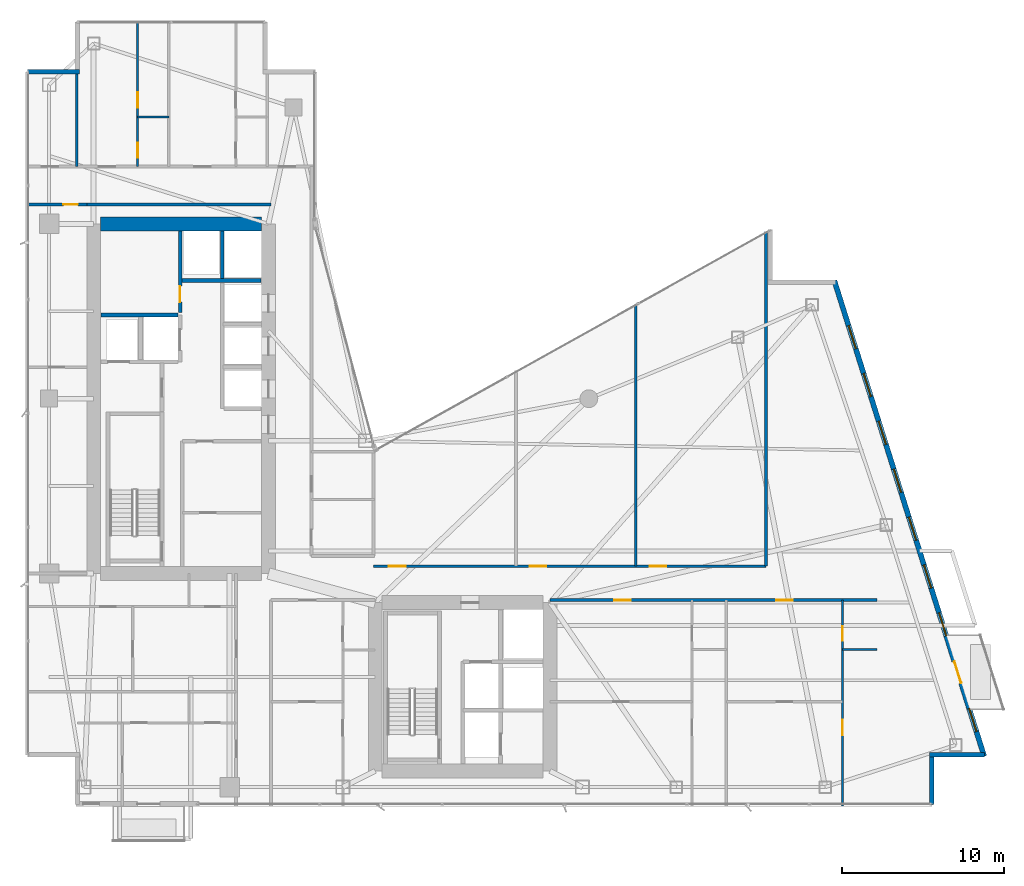
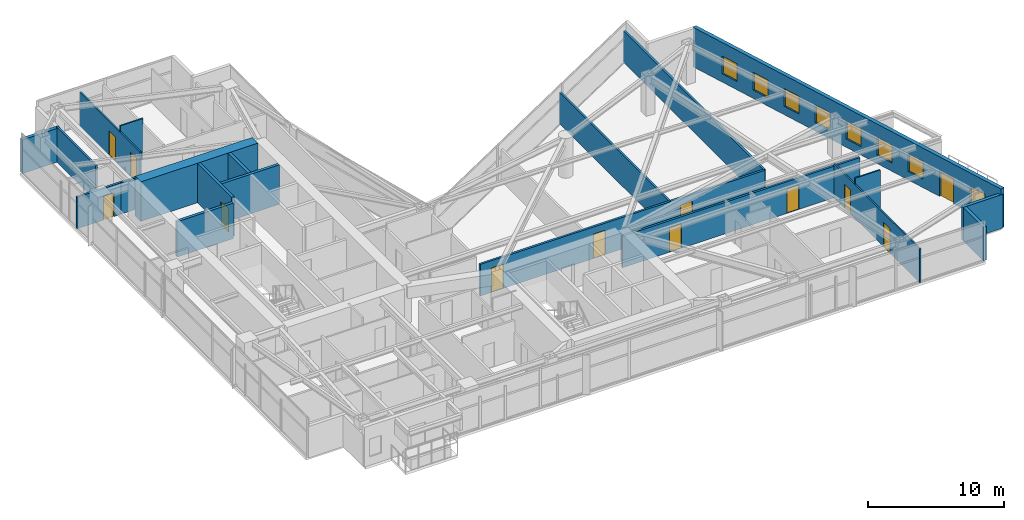
# One storey, part 24 of 28: 20 walls, 12 doors, 8 windows, 20 openings.
"""IFC4 building model written with IfcOpenShell, lengths in metres."""

from ifc_helpers import new_model, si_unit, direction, frame, frame_2d, origin, place, context, subcontext, project, spatial, rectangle, extrude, material, layer, layer_set, type_object, element, fill, save


model = new_model("IFC4")

# Units and contexts
model_context = context("Model", 3, precision=1e-05, world=origin(), true_north=direction((0.0, 1.0)))
body_context = subcontext(model_context, "Body", "Model", "MODEL_VIEW")
ifc_project = project(units=[si_unit("LENGTHUNIT", "METRE"), si_unit("AREAUNIT", "SQUARE_METRE"), si_unit("VOLUMEUNIT", "CUBIC_METRE"), si_unit("PLANEANGLEUNIT", "RADIAN"), si_unit("MASSUNIT", "GRAM", prefix="KILO")], contexts=[model_context])

# Site, building, storey
site_placement = place(None, origin())
site = spatial("IfcSite", under=ifc_project, at=site_placement, CompositionType="ELEMENT")
building_placement = place(site_placement, origin())
building = spatial("IfcBuilding", under=site, at=building_placement, Name="Calvorn Quay Hotel", CompositionType="ELEMENT")
storey_placement = place(building_placement, frame((0.0, 0.0, 101.199951171875)))
storey = spatial("IfcBuildingStorey", under=building, at=storey_placement, Name="L24", CompositionType="ELEMENT", Elevation=101.199951171875)

# Wall
ifc_material_1 = material(Name="Concrete C50", Category="concrete")
ifc_layer_1 = layer(ifc_material_1, 0.85009765625)
ifc_layer_set_1 = layer_set([ifc_layer_1], Name="WL-CORE-850")
wall_type_1 = type_object("IfcWallType", Name="WL-CORE-850", PredefinedType="SHEAR", material=ifc_layer_set_1)
wall_1_placement = place(storey_placement, frame((4.625, 38.39990234375, 0.0), z_axis=(0.0, 0.0, 1.0), x_axis=(1.0, 0.0, 0.0)))
element("IfcWall", 1, at=wall_1_placement, inside=storey, type_object=wall_type_1, Name="West Core Shear Wall N (L24)", PredefinedType="SHEAR", context=body_context, shape_type="SweptSolid", body=[
    extrude(rectangle(XDim=9.949951171875, YDim=0.85009765625, at=frame_2d((4.97509765625, 0.0))), origin(), (0.0, 0.0, 1.0), 3.56005859375),
])

# Wall, opening, door
ifc_material_2 = material(Name="Acoustic Fireboard Steel-Stud Partition", Category="steel")
ifc_layer_2 = layer(ifc_material_2, 0.179931640625)
ifc_layer_set_2 = layer_set([ifc_layer_2], Name="WL-CORR-FIRE-180")
wall_type_2 = type_object("IfcWallType", Name="WL-CORR-FIRE-180", PredefinedType="PARTITIONING", material=ifc_layer_set_2)
wall_2_placement = place(storey_placement, frame((0.080078125, 39.60009765625, 0.0), z_axis=(0.0, 0.0, 1.0), x_axis=(1.0, 0.0, 0.0)))
wall_2 = element("IfcWall", 2, at=wall_2_placement, inside=storey, type_object=wall_type_2, Name="Partition Wall L24-WL-WBAY-N-DOOR", PredefinedType="PARTITIONING", context=body_context, shape_type="SweptSolid", body=[
    extrude(rectangle(XDim=3.724853515625, YDim=0.179931640625, at=frame_2d((1.8623046875, 0.0))), origin(), (0.0, 0.0, 1.0), 2.840087890625),
])
opening_1_placement = place(wall_2_placement, frame((2.25, 0.0, 0.0)))
opening_1 = element("IfcOpeningElement", 3, at=opening_1_placement, cuts=wall_2, Name="Opening D-L24-WBN", PredefinedType="OPENING", context=body_context, shape_type="SweptSolid", body=[
    extrude(rectangle(XDim=0.89990234375, YDim=2.14990234375, at=frame_2d((0.449951171875, 1.074951171875))), frame((0.0, 0.099853515625, 0.0), z_axis=(0.0, -1.0, 0.0), x_axis=(1.0, 0.0, 0.0)), (0.0, 0.0, 1.0), 0.199951171875),
])
ifc_material_3 = material(Name="Moisture-Sealed Timber En-Suite Door", Category="wood")
door_type_1 = type_object("IfcDoorType", Name="DR-ENSUITE-900", OperationType="NOTDEFINED", PredefinedType="DOOR", material=ifc_material_3)
door_1_placement = place(opening_1_placement, origin())
door_1 = element("IfcDoor", 4, at=door_1_placement, inside=storey, type_object=door_type_1, Name="West North Bay Door (L24)", OperationType="SINGLE_SWING_LEFT", OverallHeight=2.14990234375, OverallWidth=0.89990234375, PredefinedType="DOOR", context=body_context, shape_type="SweptSolid", body=[
    extrude(rectangle(XDim=0.89990234375, YDim=2.14990234375, at=frame_2d((0.449951171875, 1.074951171875))), frame((0.0, 0.02490234375, 0.0), z_axis=(0.0, -1.0, 0.0), x_axis=(1.0, 0.0, 0.0)), (0.0, 0.0, 1.0), 0.050048828125),
])
fill(opening_1, door_1)

# Wall
wall_3_placement = place(storey_placement, frame((3.7548828125, 39.60009765625, 0.0), z_axis=(0.0, 0.0, 1.0), x_axis=(1.0, 0.0, 0.0)))
element("IfcWall", 5, at=wall_3_placement, inside=storey, type_object=wall_type_2, Name="Partition Wall L24-WL-W-SPUR-S", PredefinedType="PARTITIONING", context=body_context, shape_type="SweptSolid", body=[
    extrude(rectangle(XDim=11.39501953125, YDim=0.179931640625, at=frame_2d((5.697509765625, 0.0))), origin(), (0.0, 0.0, 1.0), 2.840087890625),
])

# Wall, openings, doors
wall_4_placement = place(storey_placement, frame((32.39990234375, 15.14990234375, 0.0), z_axis=(0.0, 0.0, 1.0), x_axis=(1.0, 0.0, 0.0)))
wall_4 = element("IfcWall", 6, at=wall_4_placement, inside=storey, type_object=wall_type_2, Name="Partition Wall L24-WL-CORR-SE-S", PredefinedType="PARTITIONING", context=body_context, shape_type="SweptSolid", body=[
    extrude(rectangle(XDim=20.2001953125, YDim=0.179931640625, at=frame_2d((10.10009765625, 0.0))), origin(), (0.0, 0.0, 1.0), 2.840087890625),
])
opening_2_placement = place(wall_4_placement, frame((3.97998046875, 0.0, 0.0)))
opening_2 = element("IfcOpeningElement", 7, at=opening_2_placement, cuts=wall_4, Name="Opening D-L24-U06", PredefinedType="OPENING", context=body_context, shape_type="SweptSolid", body=[
    extrude(rectangle(XDim=1.02001953125, YDim=2.199951171875, at=frame_2d((0.510009765625, 1.10009765625))), frame((0.0, 0.099853515625, 0.0), z_axis=(0.0, -1.0, 0.0), x_axis=(1.0, 0.0, 0.0)), (0.0, 0.0, 1.0), 0.199951171875),
])
opening_3_placement = place(wall_4_placement, frame((13.97998046875, 0.0, 0.0)))
opening_3 = element("IfcOpeningElement", 8, at=opening_3_placement, cuts=wall_4, Name="Opening D-L24-U07", PredefinedType="OPENING", context=body_context, shape_type="SweptSolid", body=[
    extrude(rectangle(XDim=1.02001953125, YDim=2.199951171875, at=frame_2d((0.510009765625, 1.10009765625))), frame((0.0, 0.099853515625, 0.0), z_axis=(0.0, -1.0, 0.0), x_axis=(1.0, 0.0, 0.0)), (0.0, 0.0, 1.0), 0.199951171875),
])
ifc_material_4 = material(Name="Solid-Core Walnut Veneer Hotel Fire Door")
door_type_2 = type_object("IfcDoorType", Name="DR-GUEST-ENTRY-1020", OperationType="NOTDEFINED", PredefinedType="DOOR", material=ifc_material_4)
door_2_placement = place(opening_2_placement, origin())
door_2 = element("IfcDoor", 9, at=door_2_placement, inside=storey, type_object=door_type_2, Name="South-East Unit Door U06 (L24)", OperationType="SINGLE_SWING_LEFT", OverallHeight=2.199951171875, OverallWidth=1.02001953125, PredefinedType="DOOR", context=body_context, shape_type="SweptSolid", body=[
    extrude(rectangle(XDim=1.02001953125, YDim=2.199951171875, at=frame_2d((0.510009765625, 1.10009765625))), frame((0.0, 0.02490234375, 0.0), z_axis=(0.0, -1.0, 0.0), x_axis=(1.0, 0.0, 0.0)), (0.0, 0.0, 1.0), 0.050048828125),
])
fill(opening_2, door_2)
door_3_placement = place(opening_3_placement, origin())
door_3 = element("IfcDoor", 10, at=door_3_placement, inside=storey, type_object=door_type_2, Name="South-East Unit Door U07 (L24)", OperationType="SINGLE_SWING_RIGHT", OverallHeight=2.199951171875, OverallWidth=1.02001953125, PredefinedType="DOOR", context=body_context, shape_type="SweptSolid", body=[
    extrude(rectangle(XDim=1.02001953125, YDim=2.199951171875, at=frame_2d((0.510009765625, 1.10009765625))), frame((0.0, 0.02490234375, 0.0), z_axis=(0.0, -1.0, 0.0), x_axis=(1.0, 0.0, 0.0)), (0.0, 0.0, 1.0), 0.050048828125),
])
fill(opening_3, door_3)

wall_5_placement = place(storey_placement, frame((21.5, 17.25, 0.0), z_axis=(0.0, 0.0, 1.0), x_axis=(1.0, 0.0, 0.0)))
wall_5 = element("IfcWall", 11, at=wall_5_placement, inside=storey, type_object=wall_type_2, Name="Partition Wall L24-WL-CORR-NE-N", PredefinedType="PARTITIONING", context=body_context, shape_type="SweptSolid", body=[
    extrude(rectangle(XDim=24.25, YDim=0.179931640625, at=frame_2d((12.125, 0.0))), origin(), (0.0, 0.0, 1.0), 2.840087890625),
])
opening_4_placement = place(wall_5_placement, frame((0.949951171875, 0.0, 0.0)))
opening_4 = element("IfcOpeningElement", 12, at=opening_4_placement, cuts=wall_5, Name="Opening D-L24-NS1", PredefinedType="OPENING", context=body_context, shape_type="SweptSolid", body=[
    extrude(rectangle(XDim=1.02001953125, YDim=2.199951171875, at=frame_2d((0.510009765625, 1.10009765625))), frame((0.0, 0.099853515625, 0.0), z_axis=(0.0, -1.0, 0.0), x_axis=(1.0, 0.0, 0.0)), (0.0, 0.0, 1.0), 0.199951171875),
])
opening_5_placement = place(wall_5_placement, frame((9.64990234375, 0.0, 0.0)))
opening_5 = element("IfcOpeningElement", 13, at=opening_5_placement, cuts=wall_5, Name="Opening D-L24-NS2", PredefinedType="OPENING", context=body_context, shape_type="SweptSolid", body=[
    extrude(rectangle(XDim=1.02001953125, YDim=2.199951171875, at=frame_2d((0.510009765625, 1.10009765625))), frame((0.0, 0.099853515625, 0.0), z_axis=(0.0, -1.0, 0.0), x_axis=(1.0, 0.0, 0.0)), (0.0, 0.0, 1.0), 0.199951171875),
])
opening_6_placement = place(wall_5_placement, frame((17.050048828125, 0.0, 0.0)))
opening_6 = element("IfcOpeningElement", 14, at=opening_6_placement, cuts=wall_5, Name="Opening D-L24-NS3", PredefinedType="OPENING", context=body_context, shape_type="SweptSolid", body=[
    extrude(rectangle(XDim=1.02001953125, YDim=2.199951171875, at=frame_2d((0.510009765625, 1.10009765625))), frame((0.0, 0.099853515625, 0.0), z_axis=(0.0, -1.0, 0.0), x_axis=(1.0, 0.0, 0.0)), (0.0, 0.0, 1.0), 0.199951171875),
])
door_4_placement = place(opening_4_placement, origin())
door_4 = element("IfcDoor", 15, at=door_4_placement, inside=storey, type_object=door_type_2, Name="Conservatory Salon Door 1 (L24)", OperationType="SINGLE_SWING_RIGHT", OverallHeight=2.199951171875, OverallWidth=1.02001953125, PredefinedType="DOOR", context=body_context, shape_type="SweptSolid", body=[
    extrude(rectangle(XDim=1.02001953125, YDim=2.199951171875, at=frame_2d((0.510009765625, 1.10009765625))), frame((0.0, 0.02490234375, 0.0), z_axis=(0.0, -1.0, 0.0), x_axis=(1.0, 0.0, 0.0)), (0.0, 0.0, 1.0), 0.050048828125),
])
fill(opening_4, door_4)
door_5_placement = place(opening_5_placement, origin())
door_5 = element("IfcDoor", 16, at=door_5_placement, inside=storey, type_object=door_type_2, Name="Conservatory Salon Door 2 (L24)", OperationType="SINGLE_SWING_LEFT", OverallHeight=2.199951171875, OverallWidth=1.02001953125, PredefinedType="DOOR", context=body_context, shape_type="SweptSolid", body=[
    extrude(rectangle(XDim=1.02001953125, YDim=2.199951171875, at=frame_2d((0.510009765625, 1.10009765625))), frame((0.0, 0.02490234375, 0.0), z_axis=(0.0, -1.0, 0.0), x_axis=(1.0, 0.0, 0.0)), (0.0, 0.0, 1.0), 0.050048828125),
])
fill(opening_5, door_5)
door_6_placement = place(opening_6_placement, origin())
door_6 = element("IfcDoor", 17, at=door_6_placement, inside=storey, type_object=door_type_2, Name="Conservatory Salon Door 3 (L24)", OperationType="SINGLE_SWING_RIGHT", OverallHeight=2.199951171875, OverallWidth=1.02001953125, PredefinedType="DOOR", context=body_context, shape_type="SweptSolid", body=[
    extrude(rectangle(XDim=1.02001953125, YDim=2.199951171875, at=frame_2d((0.510009765625, 1.10009765625))), frame((0.0, 0.02490234375, 0.0), z_axis=(0.0, -1.0, 0.0), x_axis=(1.0, 0.0, 0.0)), (0.0, 0.0, 1.0), 0.050048828125),
])
fill(opening_6, door_6)

# Walls
wall_6_placement = place(storey_placement, frame((45.75, 17.25, 0.0), z_axis=(0.0, 0.0, 1.0), x_axis=(0.0, 1.0, 0.0)))
element("IfcWall", 18, at=wall_6_placement, inside=storey, type_object=wall_type_2, Name="Partition Wall L24-WL-NE-END-E", PredefinedType="PARTITIONING", context=body_context, shape_type="SweptSolid", body=[
    extrude(rectangle(XDim=20.68994140625, YDim=0.179931640625, at=frame_2d((10.344970703125, 0.0))), origin(), (0.0, 0.0, 1.0), 2.840087890625),
])
ifc_material_5 = material(Name="Moisture-Resistant Tile-Backed Partition")
ifc_layer_3 = layer(ifc_material_5, 0.125)
ifc_layer_set_3 = layer_set([ifc_layer_3], Name="WL-ENSUITE-125")
wall_type_3 = type_object("IfcWallType", Name="WL-ENSUITE-125", PredefinedType="PARTITIONING", material=ifc_layer_set_3)
wall_7_placement = place(storey_placement, frame((6.919921875, 45.02001953125, 0.0), z_axis=(0.0, 0.0, 1.0), x_axis=(1.0, 0.0, 0.0)))
element("IfcWall", 19, at=wall_7_placement, inside=storey, type_object=wall_type_3, Name="Partition Wall L24-WL-U04-BDV", PredefinedType="PARTITIONING", context=body_context, shape_type="SweptSolid", body=[
    extrude(rectangle(XDim=1.93017578125, YDim=0.125, at=frame_2d((0.965087890625, 0.0))), origin(), (0.0, 0.0, 1.0), 3.56005859375),
])

# Wall, openings, doors
wall_8_placement = place(storey_placement, frame((6.919921875, 41.949951171875, 0.0), z_axis=(0.0, 0.0, 1.0), x_axis=(0.0, 1.0, 0.0)))
wall_8 = element("IfcWall", 20, at=wall_8_placement, inside=storey, type_object=wall_type_3, Name="Partition Wall L24-WL-U04-BV", PredefinedType="PARTITIONING", context=body_context, shape_type="SweptSolid", body=[
    extrude(rectangle(XDim=8.989990234375, YDim=0.125, at=frame_2d((4.4951171875, 0.0))), origin(), (0.0, 0.0, 1.0), 3.0400390625),
])
opening_7_placement = place(wall_8_placement, frame((0.550048828125, 0.0, 0.0)))
opening_7 = element("IfcOpeningElement", 21, at=opening_7_placement, cuts=wall_8, Name="Opening D-L24-E04", PredefinedType="OPENING", context=body_context, shape_type="SweptSolid", body=[
    extrude(rectangle(XDim=0.89990234375, YDim=2.14990234375, at=frame_2d((0.449951171875, 1.074951171875))), frame((0.0, 0.072509765625, 0.0), z_axis=(0.0, -1.0, 0.0), x_axis=(1.0, 0.0, 0.0)), (0.0, 0.0, 1.0), 0.14501953125),
])
opening_8_placement = place(wall_8_placement, frame((3.6201171875, 0.0, 0.0)))
opening_8 = element("IfcOpeningElement", 22, at=opening_8_placement, cuts=wall_8, Name="Opening D-L24-S04", PredefinedType="OPENING", context=body_context, shape_type="SweptSolid", body=[
    extrude(rectangle(XDim=0.9599609375, YDim=2.199951171875, at=frame_2d((0.47998046875, 1.10009765625))), frame((0.0, 0.072509765625, 0.0), z_axis=(0.0, -1.0, 0.0), x_axis=(1.0, 0.0, 0.0)), (0.0, 0.0, 1.0), 0.14501953125),
])
door_7_placement = place(opening_7_placement, origin())
door_7 = element("IfcDoor", 23, at=door_7_placement, inside=storey, type_object=door_type_1, Name="En-Suite Door 04", OperationType="SINGLE_SWING_LEFT", OverallHeight=2.14990234375, OverallWidth=0.89990234375, PredefinedType="DOOR", context=body_context, shape_type="SweptSolid", body=[
    extrude(rectangle(XDim=0.89990234375, YDim=2.14990234375, at=frame_2d((0.449951171875, 1.074951171875))), frame((0.0, 0.02490234375, 0.0), z_axis=(0.0, -1.0, 0.0), x_axis=(1.0, 0.0, 0.0)), (0.0, 0.0, 1.0), 0.050048828125),
])
fill(opening_7, door_7)
ifc_material_6 = material(Name="Solid Timber Internal Suite Door", Category="wood")
door_type_3 = type_object("IfcDoorType", Name="DR-SUITE-INT-960", OperationType="NOTDEFINED", PredefinedType="DOOR", material=ifc_material_6)
door_8_placement = place(opening_8_placement, origin())
door_8 = element("IfcDoor", 24, at=door_8_placement, inside=storey, type_object=door_type_3, Name="Children Play Nursery Door 04", OperationType="SINGLE_SWING_RIGHT", OverallHeight=2.199951171875, OverallWidth=0.9599609375, PredefinedType="DOOR", context=body_context, shape_type="SweptSolid", body=[
    extrude(rectangle(XDim=0.9599609375, YDim=2.199951171875, at=frame_2d((0.47998046875, 1.10009765625))), frame((0.0, 0.02490234375, 0.0), z_axis=(0.0, -1.0, 0.0), x_axis=(1.0, 0.0, 0.0)), (0.0, 0.0, 1.0), 0.050048828125),
])
fill(opening_8, door_8)

# Wall
wall_9_placement = place(storey_placement, frame((50.469970703125, 12.10009765625, 0.0), z_axis=(0.0, 0.0, 1.0), x_axis=(1.0, 0.0, 0.0)))
element("IfcWall", 25, at=wall_9_placement, inside=storey, type_object=wall_type_3, Name="Partition Wall L24-WL-U07-BDV", PredefinedType="PARTITIONING", context=body_context, shape_type="SweptSolid", body=[
    extrude(rectangle(XDim=2.130126953125, YDim=0.125, at=frame_2d((1.06494140625, 0.0))), origin(), (0.0, 0.0, 1.0), 3.56005859375),
])

# Wall, openings, doors
wall_10_placement = place(storey_placement, frame((50.469970703125, 2.43994140625, 0.0), z_axis=(0.0, 0.0, 1.0), x_axis=(0.0, 1.0, 0.0)))
wall_10 = element("IfcWall", 26, at=wall_10_placement, inside=storey, type_object=wall_type_3, Name="Partition Wall L24-WL-U07-BV", PredefinedType="PARTITIONING", context=body_context, shape_type="SweptSolid", body=[
    extrude(rectangle(XDim=12.7099609375, YDim=0.125, at=frame_2d((6.35498046875, 0.0))), origin(), (0.0, 0.0, 1.0), 3.0400390625),
])
opening_9_placement = place(wall_10_placement, frame((4.35009765625, 0.0, 0.0)))
opening_9 = element("IfcOpeningElement", 27, at=opening_9_placement, cuts=wall_10, Name="Opening D-L24-S07", PredefinedType="OPENING", context=body_context, shape_type="SweptSolid", body=[
    extrude(rectangle(XDim=0.9599609375, YDim=2.199951171875, at=frame_2d((0.47998046875, 1.10009765625))), frame((0.0, 0.072509765625, 0.0), z_axis=(0.0, -1.0, 0.0), x_axis=(1.0, 0.0, 0.0)), (0.0, 0.0, 1.0), 0.14501953125),
])
opening_10_placement = place(wall_10_placement, frame((10.2099609375, 0.0, 0.0)))
opening_10 = element("IfcOpeningElement", 28, at=opening_10_placement, cuts=wall_10, Name="Opening D-L24-E07", PredefinedType="OPENING", context=body_context, shape_type="SweptSolid", body=[
    extrude(rectangle(XDim=0.89990234375, YDim=2.14990234375, at=frame_2d((0.449951171875, 1.074951171875))), frame((0.0, 0.072509765625, 0.0), z_axis=(0.0, -1.0, 0.0), x_axis=(1.0, 0.0, 0.0)), (0.0, 0.0, 1.0), 0.14501953125),
])
door_9_placement = place(opening_10_placement, origin())
door_9 = element("IfcDoor", 29, at=door_9_placement, inside=storey, type_object=door_type_1, Name="En-Suite Door 07", OperationType="SINGLE_SWING_RIGHT", OverallHeight=2.14990234375, OverallWidth=0.89990234375, PredefinedType="DOOR", context=body_context, shape_type="SweptSolid", body=[
    extrude(rectangle(XDim=0.89990234375, YDim=2.14990234375, at=frame_2d((0.449951171875, 1.074951171875))), frame((0.0, 0.02490234375, 0.0), z_axis=(0.0, -1.0, 0.0), x_axis=(1.0, 0.0, 0.0)), (0.0, 0.0, 1.0), 0.050048828125),
])
fill(opening_10, door_9)
door_10_placement = place(opening_9_placement, origin())
door_10 = element("IfcDoor", 30, at=door_10_placement, inside=storey, type_object=door_type_3, Name="Children Play Nursery Door 07", OperationType="SINGLE_SWING_LEFT", OverallHeight=2.199951171875, OverallWidth=0.9599609375, PredefinedType="DOOR", context=body_context, shape_type="SweptSolid", body=[
    extrude(rectangle(XDim=0.9599609375, YDim=2.199951171875, at=frame_2d((0.47998046875, 1.10009765625))), frame((0.0, 0.02490234375, 0.0), z_axis=(0.0, -1.0, 0.0), x_axis=(1.0, 0.0, 0.0)), (0.0, 0.0, 1.0), 0.050048828125),
])
fill(opening_9, door_10)

# Walls
ifc_material_7 = material(Name="Concrete C40", Category="concrete")
ifc_layer_4 = layer(ifc_material_7, 0.320068359375)
ifc_layer_set_4 = layer_set([ifc_layer_4], Name="WL-EXT-SPANDREL-320")
wall_type_4 = type_object("IfcWallType", Name="WL-EXT-SPANDREL-320", PredefinedType="SOLIDWALL", material=ifc_layer_set_4)
wall_11_placement = place(storey_placement, frame((56.0, 2.52001953125, 0.0), z_axis=(0.0, 0.0, 1.0), x_axis=(0.0, 1.0, 0.0)))
element("IfcWall", 31, at=wall_11_placement, inside=storey, type_object=wall_type_4, Name="Notched Corner Spandrel L24-SE1", PredefinedType="SOLIDWALL", context=body_context, shape_type="SweptSolid", body=[
    extrude(rectangle(XDim=2.93994140625, YDim=0.280029296875, at=frame_2d((1.469970703125, 0.0))), origin(), (0.0, 0.0, 1.0), 3.0400390625),
])
wall_12_placement = place(storey_placement, frame((55.860107421875, 5.60009765625, 0.0), z_axis=(0.0, 0.0, 1.0), x_axis=(1.0, 0.0, 0.0)))
element("IfcWall", 32, at=wall_12_placement, inside=storey, type_object=wall_type_4, Name="Notched Corner Spandrel L24-SE2", PredefinedType="SOLIDWALL", context=body_context, shape_type="SweptSolid", body=[
    extrude(rectangle(XDim=3.3798828125, YDim=0.280029296875, at=frame_2d((1.68994140625, 0.0))), origin(), (0.0, 0.0, 1.0), 3.0400390625),
])
wall_13_placement = place(storey_placement, frame((3.340087890625, 47.800048828125, 0.0), z_axis=(0.0, 0.0, 1.0), x_axis=(-1.0, 0.0, 0.0)))
element("IfcWall", 33, at=wall_13_placement, inside=storey, type_object=wall_type_4, Name="Notched Corner Spandrel L24-NW2", PredefinedType="SOLIDWALL", context=body_context, shape_type="SweptSolid", body=[
    extrude(rectangle(XDim=3.219970703125, YDim=0.280029296875, at=frame_2d((1.60986328125, 0.0))), origin(), (0.0, 0.0, 1.0), 3.0400390625),
])

# Wall, openings, door, windows
wall_14_placement = place(storey_placement, frame((59.22998046875, 5.5048828125, 0.0), z_axis=(0.0, 0.0, 1.0), x_axis=(-0.300509063924, 0.953778958931, 0.0)))
wall_14 = element("IfcWall", 34, at=wall_14_placement, inside=storey, type_object=wall_type_4, Name="East Stepped Waterfront Exterior Wall (L24)", PredefinedType="SOLIDWALL", context=body_context, shape_type="SweptSolid", body=[
    extrude(rectangle(XDim=30.814453125, YDim=0.320068359375, at=frame_2d((15.4072265625, 0.0))), origin(), (0.0, 0.0, 1.0), 3.56005859375),
])
opening_11_placement = place(wall_14_placement, frame((4.7470703125, 0.0, 0.0)))
opening_11 = element("IfcOpeningElement", 35, at=opening_11_placement, cuts=wall_14, Name="Opening DB-L24-1", PredefinedType="OPENING", context=body_context, shape_type="SweptSolid", body=[
    extrude(rectangle(XDim=1.39990234375, YDim=2.25, at=frame_2d((0.699951171875, 1.125))), frame((0.0, 0.169921875, 0.0), z_axis=(0.0, -1.0, 0.0), x_axis=(1.0, 0.0, 0.0)), (0.0, 0.0, 1.0), 0.340087890625),
])
opening_12_placement = place(wall_14_placement, frame((1.60009765625, 0.0, 0.75)))
opening_12 = element("IfcOpeningElement", 36, at=opening_12_placement, cuts=wall_14, Name="Opening WG-L24-E1", PredefinedType="OPENING", context=body_context, shape_type="SweptSolid", body=[
    extrude(rectangle(XDim=1.5, YDim=1.60009765625, at=frame_2d((0.75, 0.800048828125))), frame((0.0, 0.169921875, 0.0), z_axis=(0.0, -1.0, 0.0), x_axis=(1.0, 0.0, 0.0)), (0.0, 0.0, 1.0), 0.340087890625),
])
opening_13_placement = place(wall_14_placement, frame((7.800048828125, 0.0, 0.75)))
opening_13 = element("IfcOpeningElement", 37, at=opening_13_placement, cuts=wall_14, Name="Opening WG-L24-E2", PredefinedType="OPENING", context=body_context, shape_type="SweptSolid", body=[
    extrude(rectangle(XDim=1.5, YDim=1.60009765625, at=frame_2d((0.75, 0.800048828125))), frame((0.0, 0.169921875, 0.0), z_axis=(0.0, -1.0, 0.0), x_axis=(1.0, 0.0, 0.0)), (0.0, 0.0, 1.0), 0.340087890625),
])
opening_14_placement = place(wall_14_placement, frame((10.89990234375, 0.0, 0.75)))
opening_14 = element("IfcOpeningElement", 38, at=opening_14_placement, cuts=wall_14, Name="Opening WG-L24-E3", PredefinedType="OPENING", context=body_context, shape_type="SweptSolid", body=[
    extrude(rectangle(XDim=1.5, YDim=1.60009765625, at=frame_2d((0.75, 0.800048828125))), frame((0.0, 0.169921875, 0.0), z_axis=(0.0, -1.0, 0.0), x_axis=(1.0, 0.0, 0.0)), (0.0, 0.0, 1.0), 0.340087890625),
])
opening_15_placement = place(wall_14_placement, frame((14.0, 0.0, 0.75)))
opening_15 = element("IfcOpeningElement", 39, at=opening_15_placement, cuts=wall_14, Name="Opening WG-L24-E4", PredefinedType="OPENING", context=body_context, shape_type="SweptSolid", body=[
    extrude(rectangle(XDim=1.5, YDim=1.60009765625, at=frame_2d((0.75, 0.800048828125))), frame((0.0, 0.169921875, 0.0), z_axis=(0.0, -1.0, 0.0), x_axis=(1.0, 0.0, 0.0)), (0.0, 0.0, 1.0), 0.340087890625),
])
opening_16_placement = place(wall_14_placement, frame((17.10009765625, 0.0, 0.75)))
opening_16 = element("IfcOpeningElement", 40, at=opening_16_placement, cuts=wall_14, Name="Opening WG-L24-E5", PredefinedType="OPENING", context=body_context, shape_type="SweptSolid", body=[
    extrude(rectangle(XDim=1.5, YDim=1.60009765625, at=frame_2d((0.75, 0.800048828125))), frame((0.0, 0.169921875, 0.0), z_axis=(0.0, -1.0, 0.0), x_axis=(1.0, 0.0, 0.0)), (0.0, 0.0, 1.0), 0.340087890625),
])
opening_17_placement = place(wall_14_placement, frame((20.199951171875, 0.0, 0.75)))
opening_17 = element("IfcOpeningElement", 41, at=opening_17_placement, cuts=wall_14, Name="Opening WG-L24-E6", PredefinedType="OPENING", context=body_context, shape_type="SweptSolid", body=[
    extrude(rectangle(XDim=1.5, YDim=1.60009765625, at=frame_2d((0.75, 0.800048828125))), frame((0.0, 0.169921875, 0.0), z_axis=(0.0, -1.0, 0.0), x_axis=(1.0, 0.0, 0.0)), (0.0, 0.0, 1.0), 0.340087890625),
])
opening_18_placement = place(wall_14_placement, frame((23.300048828125, 0.0, 0.75)))
opening_18 = element("IfcOpeningElement", 42, at=opening_18_placement, cuts=wall_14, Name="Opening WG-L24-E7", PredefinedType="OPENING", context=body_context, shape_type="SweptSolid", body=[
    extrude(rectangle(XDim=1.5, YDim=1.60009765625, at=frame_2d((0.75, 0.800048828125))), frame((0.0, 0.169921875, 0.0), z_axis=(0.0, -1.0, 0.0), x_axis=(1.0, 0.0, 0.0)), (0.0, 0.0, 1.0), 0.340087890625),
])
opening_19_placement = place(wall_14_placement, frame((26.39990234375, 0.0, 0.75)))
opening_19 = element("IfcOpeningElement", 43, at=opening_19_placement, cuts=wall_14, Name="Opening WG-L24-E8", PredefinedType="OPENING", context=body_context, shape_type="SweptSolid", body=[
    extrude(rectangle(XDim=1.5, YDim=1.60009765625, at=frame_2d((0.75, 0.800048828125))), frame((0.0, 0.169921875, 0.0), z_axis=(0.0, -1.0, 0.0), x_axis=(1.0, 0.0, 0.0)), (0.0, 0.0, 1.0), 0.340087890625),
])
ifc_material_8 = material(Name="Typhoon-Rated Low-E Aluminium Terrace Door", Category="aluminium")
door_type_4 = type_object("IfcDoorType", Name="DR-BALCONY-GLZ-1400", OperationType="NOTDEFINED", PredefinedType="DOOR", material=ifc_material_8)
door_11_placement = place(opening_11_placement, origin())
door_11 = element("IfcDoor", 44, at=door_11_placement, inside=storey, type_object=door_type_4, Name="Tree Balcony Terrace Door L24-BALC-E", OperationType="SINGLE_SWING_LEFT", OverallHeight=2.25, OverallWidth=1.39990234375, PredefinedType="DOOR", context=body_context, shape_type="SweptSolid", body=[
    extrude(rectangle(XDim=1.39990234375, YDim=2.25, at=frame_2d((0.699951171875, 1.125))), frame((0.0, 0.02490234375, 0.0), z_axis=(0.0, -1.0, 0.0), x_axis=(1.0, 0.0, 0.0)), (0.0, 0.0, 1.0), 0.050048828125),
])
fill(opening_11, door_11)
ifc_material_9 = material(Name="Self-Closing Class B Fire Window")
window_type = type_object("IfcWindowType", Name="WIN-REFUGE-1500x1600", PartitioningType="SINGLE_PANEL", PredefinedType="WINDOW", material=ifc_material_9)
window_1_placement = place(opening_12_placement, origin())
window_1 = element("IfcWindow", 45, at=window_1_placement, inside=storey, type_object=window_type, Name="East Facade Window L24-E1", OverallHeight=1.60009765625, OverallWidth=1.5, PartitioningType="SINGLE_PANEL", PredefinedType="WINDOW", context=body_context, shape_type="SweptSolid", body=[
    extrude(rectangle(XDim=1.5, YDim=1.60009765625, at=frame_2d((0.75, 0.800048828125))), frame((0.0, 0.030029296875, 0.0), z_axis=(0.0, -1.0, 0.0), x_axis=(1.0, 0.0, 0.0)), (0.0, 0.0, 1.0), 0.06005859375),
])
fill(opening_12, window_1)
window_2_placement = place(opening_13_placement, origin())
window_2 = element("IfcWindow", 46, at=window_2_placement, inside=storey, type_object=window_type, Name="East Facade Window L24-E2", OverallHeight=1.60009765625, OverallWidth=1.5, PartitioningType="SINGLE_PANEL", PredefinedType="WINDOW", context=body_context, shape_type="SweptSolid", body=[
    extrude(rectangle(XDim=1.5, YDim=1.60009765625, at=frame_2d((0.75, 0.800048828125))), frame((0.0, 0.030029296875, 0.0), z_axis=(0.0, -1.0, 0.0), x_axis=(1.0, 0.0, 0.0)), (0.0, 0.0, 1.0), 0.06005859375),
])
fill(opening_13, window_2)
window_3_placement = place(opening_14_placement, origin())
window_3 = element("IfcWindow", 47, at=window_3_placement, inside=storey, type_object=window_type, Name="East Facade Window L24-E3", OverallHeight=1.60009765625, OverallWidth=1.5, PartitioningType="SINGLE_PANEL", PredefinedType="WINDOW", context=body_context, shape_type="SweptSolid", body=[
    extrude(rectangle(XDim=1.5, YDim=1.60009765625, at=frame_2d((0.75, 0.800048828125))), frame((0.0, 0.030029296875, 0.0), z_axis=(0.0, -1.0, 0.0), x_axis=(1.0, 0.0, 0.0)), (0.0, 0.0, 1.0), 0.06005859375),
])
fill(opening_14, window_3)
window_4_placement = place(opening_15_placement, origin())
window_4 = element("IfcWindow", 48, at=window_4_placement, inside=storey, type_object=window_type, Name="East Facade Window L24-E4", OverallHeight=1.60009765625, OverallWidth=1.5, PartitioningType="SINGLE_PANEL", PredefinedType="WINDOW", context=body_context, shape_type="SweptSolid", body=[
    extrude(rectangle(XDim=1.5, YDim=1.60009765625, at=frame_2d((0.75, 0.800048828125))), frame((0.0, 0.030029296875, 0.0), z_axis=(0.0, -1.0, 0.0), x_axis=(1.0, 0.0, 0.0)), (0.0, 0.0, 1.0), 0.06005859375),
])
fill(opening_15, window_4)
window_5_placement = place(opening_16_placement, origin())
window_5 = element("IfcWindow", 49, at=window_5_placement, inside=storey, type_object=window_type, Name="East Facade Window L24-E5", OverallHeight=1.60009765625, OverallWidth=1.5, PartitioningType="SINGLE_PANEL", PredefinedType="WINDOW", context=body_context, shape_type="SweptSolid", body=[
    extrude(rectangle(XDim=1.5, YDim=1.60009765625, at=frame_2d((0.75, 0.800048828125))), frame((0.0, 0.030029296875, 0.0), z_axis=(0.0, -1.0, 0.0), x_axis=(1.0, 0.0, 0.0)), (0.0, 0.0, 1.0), 0.06005859375),
])
fill(opening_16, window_5)
window_6_placement = place(opening_17_placement, origin())
window_6 = element("IfcWindow", 50, at=window_6_placement, inside=storey, type_object=window_type, Name="East Facade Window L24-E6", OverallHeight=1.60009765625, OverallWidth=1.5, PartitioningType="SINGLE_PANEL", PredefinedType="WINDOW", context=body_context, shape_type="SweptSolid", body=[
    extrude(rectangle(XDim=1.5, YDim=1.60009765625, at=frame_2d((0.75, 0.800048828125))), frame((0.0, 0.030029296875, 0.0), z_axis=(0.0, -1.0, 0.0), x_axis=(1.0, 0.0, 0.0)), (0.0, 0.0, 1.0), 0.06005859375),
])
fill(opening_17, window_6)
window_7_placement = place(opening_18_placement, origin())
window_7 = element("IfcWindow", 51, at=window_7_placement, inside=storey, type_object=window_type, Name="East Facade Window L24-E7", OverallHeight=1.60009765625, OverallWidth=1.5, PartitioningType="SINGLE_PANEL", PredefinedType="WINDOW", context=body_context, shape_type="SweptSolid", body=[
    extrude(rectangle(XDim=1.5, YDim=1.60009765625, at=frame_2d((0.75, 0.800048828125))), frame((0.0, 0.030029296875, 0.0), z_axis=(0.0, -1.0, 0.0), x_axis=(1.0, 0.0, 0.0)), (0.0, 0.0, 1.0), 0.06005859375),
])
fill(opening_18, window_7)
window_8_placement = place(opening_19_placement, origin())
window_8 = element("IfcWindow", 52, at=window_8_placement, inside=storey, type_object=window_type, Name="East Facade Window L24-E8", OverallHeight=1.60009765625, OverallWidth=1.5, PartitioningType="SINGLE_PANEL", PredefinedType="WINDOW", context=body_context, shape_type="SweptSolid", body=[
    extrude(rectangle(XDim=1.5, YDim=1.60009765625, at=frame_2d((0.75, 0.800048828125))), frame((0.0, 0.030029296875, 0.0), z_axis=(0.0, -1.0, 0.0), x_axis=(1.0, 0.0, 0.0)), (0.0, 0.0, 1.0), 0.06005859375),
])
fill(opening_19, window_8)

# Walls
ifc_material_10 = material(Name="Double-Stud Acoustic Gypsum Partition")
ifc_layer_5 = layer(ifc_material_10, 0.159912109375)
ifc_layer_set_5 = layer_set([ifc_layer_5], Name="WL-INTERSUITE-160")
wall_type_5 = type_object("IfcWallType", Name="WL-INTERSUITE-160", PredefinedType="PARTITIONING", material=ifc_layer_set_5)
wall_15_placement = place(storey_placement, frame((3.14990234375, 41.949951171875, 0.0), z_axis=(0.0, 0.0, 1.0), x_axis=(0.0, 1.0, 0.0)))
element("IfcWall", 53, at=wall_15_placement, inside=storey, type_object=wall_type_5, Name="Partition Wall L24-WL-NW-DIV-W0", PredefinedType="PARTITIONING", context=body_context, shape_type="SweptSolid", body=[
    extrude(rectangle(XDim=5.85009765625, YDim=0.159912109375, at=frame_2d((2.925048828125, 0.0))), origin(), (0.0, 0.0, 1.0), 3.14013671875),
])
wall_16_placement = place(storey_placement, frame((37.699951171875, 17.25, 0.0), z_axis=(0.0, 0.0, 1.0), x_axis=(0.0, 1.0, 0.0)))
element("IfcWall", 54, at=wall_16_placement, inside=storey, type_object=wall_type_5, Name="Partition Wall L24-WL-NE-DIV-2", PredefinedType="PARTITIONING", context=body_context, shape_type="SweptSolid", body=[
    extrude(rectangle(XDim=16.199951171875, YDim=0.159912109375, at=frame_2d((8.10009765625, 0.0))), origin(), (0.0, 0.0, 1.0), 2.840087890625),
])

# Wall, opening, door
ifc_material_11 = material(Name="Autoclaved Aerated Masonry Block", Category="masonry")
ifc_layer_6 = layer(ifc_material_11, 0.219970703125)
ifc_layer_set_6 = layer_set([ifc_layer_6], Name="WL-LOBBY-FIRE-220")
wall_type_6 = type_object("IfcWallType", Name="WL-LOBBY-FIRE-220", PredefinedType="SOLIDWALL", material=ifc_layer_set_6)
wall_17_placement = place(storey_placement, frame((9.5400390625, 32.919921875, 0.0), z_axis=(0.0, 0.0, 1.0), x_axis=(0.0, 1.0, 0.0)))
wall_17 = element("IfcWall", 55, at=wall_17_placement, inside=storey, type_object=wall_type_6, Name="Partition Wall L24-WL-CWW-K-E", PredefinedType="SOLIDWALL", context=body_context, shape_type="SweptSolid", body=[
    extrude(rectangle(XDim=5.03515625, YDim=0.219970703125, at=frame_2d((2.517578125, 0.0))), origin(), (0.0, 0.0, 1.0), 3.56005859375),
])
opening_20_placement = place(wall_17_placement, frame((0.64990234375, 0.0, 0.0)))
opening_20 = element("IfcOpeningElement", 56, at=opening_20_placement, cuts=wall_17, Name="Opening D-L24-CK1", PredefinedType="OPENING", context=body_context, shape_type="SweptSolid", body=[
    extrude(rectangle(XDim=0.97998046875, YDim=2.14990234375, at=frame_2d((0.489990234375, 1.074951171875))), frame((0.0, 0.119873046875, 0.0), z_axis=(0.0, -1.0, 0.0), x_axis=(1.0, 0.0, 0.0)), (0.0, 0.0, 1.0), 0.239990234375),
])
ifc_material_12 = material(Name="Painted Steel Housekeeping/Riser Fire Door", Category="steel")
door_type_5 = type_object("IfcDoorType", Name="DR-SERVICE-980", OperationType="NOTDEFINED", PredefinedType="DOOR", material=ifc_material_12)
door_12_placement = place(opening_20_placement, origin())
door_12 = element("IfcDoor", 57, at=door_12_placement, inside=storey, type_object=door_type_5, Name="Core Linen Room Door (L24)", OperationType="SINGLE_SWING_LEFT", OverallHeight=2.14990234375, OverallWidth=0.97998046875, PredefinedType="DOOR", context=body_context, shape_type="SweptSolid", body=[
    extrude(rectangle(XDim=0.97998046875, YDim=2.14990234375, at=frame_2d((0.489990234375, 1.074951171875))), frame((0.0, 0.02490234375, 0.0), z_axis=(0.0, -1.0, 0.0), x_axis=(1.0, 0.0, 0.0)), (0.0, 0.0, 1.0), 0.050048828125),
])
fill(opening_20, door_12)

# Walls
ifc_material_13 = material(Name="Concrete C40", Category="concrete")
ifc_layer_7 = layer(ifc_material_13, 0.239990234375)
ifc_layer_set_7 = layer_set([ifc_layer_7], Name="WL-SHAFT-240")
wall_type_7 = type_object("IfcWallType", Name="WL-SHAFT-240", PredefinedType="SOLIDWALL", material=ifc_layer_set_7)
wall_18_placement = place(storey_placement, frame((4.64501953125, 32.780029296875, 0.0), z_axis=(0.0, 0.0, 1.0), x_axis=(1.0, 0.0, 0.0)))
element("IfcWall", 58, at=wall_18_placement, inside=storey, type_object=wall_type_7, Name="Partition Wall L24-WL-CWW-SLW-N", PredefinedType="SOLIDWALL", context=body_context, shape_type="SweptSolid", body=[
    extrude(rectangle(XDim=4.77490234375, YDim=0.239990234375, at=frame_2d((2.387451171875, 0.0))), origin(), (0.0, 0.0, 1.0), 3.18994140625),
])
wall_19_placement = place(storey_placement, frame((9.659912109375, 34.89990234375, 0.0), z_axis=(0.0, 0.0, 1.0), x_axis=(1.0, 0.0, 0.0)))
element("IfcWall", 59, at=wall_19_placement, inside=storey, type_object=wall_type_7, Name="Partition Wall L24-WL-CWW-PLH-S", PredefinedType="SOLIDWALL", context=body_context, shape_type="SweptSolid", body=[
    extrude(rectangle(XDim=4.89501953125, YDim=0.239990234375, at=frame_2d((2.447509765625, 0.0))), origin(), (0.0, 0.0, 1.0), 3.56005859375),
])
wall_20_placement = place(storey_placement, frame((12.14990234375, 35.02001953125, 0.0), z_axis=(0.0, 0.0, 1.0), x_axis=(0.0, 1.0, 0.0)))
element("IfcWall", 60, at=wall_20_placement, inside=storey, type_object=wall_type_7, Name="Partition Wall L24-WL-CWW-PLH-DIV", PredefinedType="SOLIDWALL", context=body_context, shape_type="SweptSolid", body=[
    extrude(rectangle(XDim=2.93505859375, YDim=0.239990234375, at=frame_2d((1.467529296875, 0.0))), origin(), (0.0, 0.0, 1.0), 3.56005859375),
])

save(model, "model.ifc")
